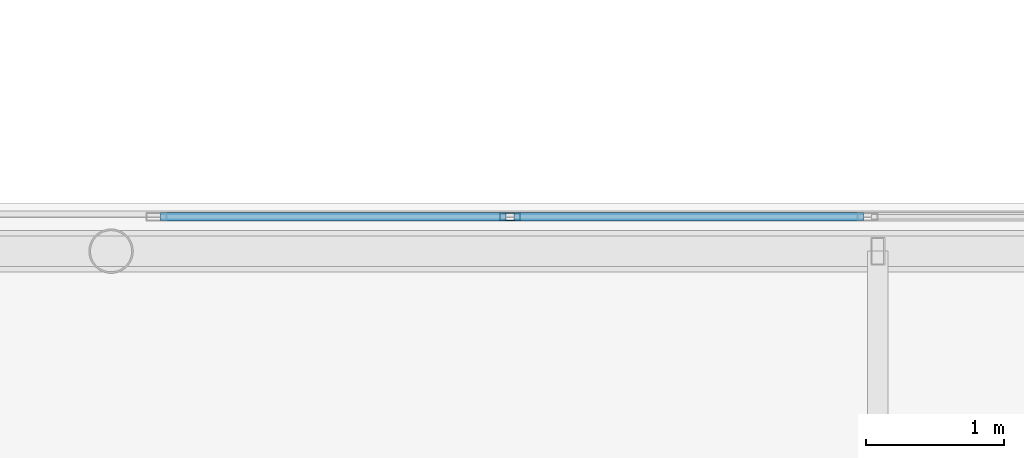
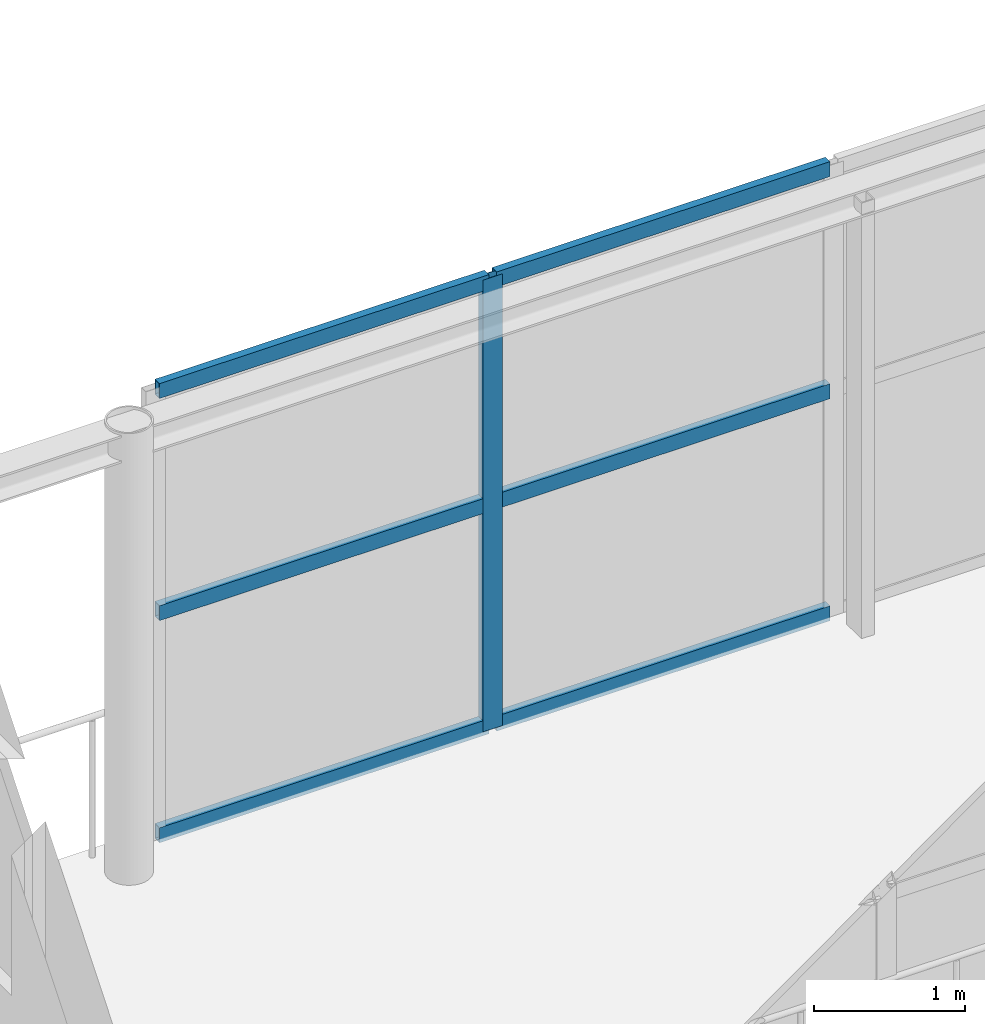
# One storey, part 62 of 167: 7 members, 1 element without a shape of its own.
"""IFC4 building model written with IfcOpenShell, lengths in metres."""

from ifc_helpers import new_model, si_unit, direction, frame, origin, origin_2d, place, context, subcontext, project, spatial, hollow_rectangle, extrude, material, layer, layer_set, material_profile, profile_set, type_object, element, aggregate, save


model = new_model("IFC4")

# Units and contexts
model_context = context("Model", 3, precision=1e-05, world=origin(), true_north=direction((0.0, 1.0)))
body_context = subcontext(model_context, "Body", "Model", "MODEL_VIEW")
ifc_project = project(units=[si_unit("LENGTHUNIT", "METRE"), si_unit("AREAUNIT", "SQUARE_METRE"), si_unit("VOLUMEUNIT", "CUBIC_METRE"), si_unit("PLANEANGLEUNIT", "RADIAN"), si_unit("MASSUNIT", "GRAM", prefix="KILO")], contexts=[model_context])

# Site, building, storey
site_placement = place(None, origin())
site = spatial("IfcSite", under=ifc_project, at=site_placement, CompositionType="ELEMENT")
building_placement = place(site_placement, origin())
building = spatial("IfcBuilding", under=site, at=building_placement, Name="Zizhar Promenade General Hospital", CompositionType="ELEMENT")
storey_placement = place(building_placement, frame((0.0, 0.0, 9.60009765625)))
storey = spatial("IfcBuildingStorey", under=building, at=storey_placement, Name="L02", CompositionType="ELEMENT", Elevation=9.60009765625)

# Curtain wall, members
ifc_material_1 = material(Name="Anodised aluminium 6063-T6 and low-E glass", Category="aluminium")
ifc_layer = layer(ifc_material_1, 0.159912109375)
ifc_layer_set = layer_set([ifc_layer], Name="Anodised aluminium 6063-T6 and low-E glass")
curtain_wall_type = type_object("IfcCurtainWallType", Name="CW-SKY-GLZ", PredefinedType="NOTDEFINED", material=ifc_layer_set)
curtain_wall_placement = place(storey_placement, origin())
curtain_wall = element("IfcCurtainWall", 1, at=curtain_wall_placement, inside=storey, type_object=curtain_wall_type, Name="Courtyard Surgical-Clinic Skybridge Level L02 North Glazing 1", PredefinedType="NOTDEFINED")
ifc_material_2 = material(Name="Anodised aluminium 6063-T6", Category="aluminium")
ifc_material_profile_1 = material_profile(ifc_material_2, hollow_rectangle(XDim=0.06005859375, YDim=0.14990234375, WallThickness=0.00390625, at=origin_2d()))
ifc_profile_set_1 = profile_set([ifc_material_profile_1], Name="Anodised aluminium 6063-T6")
member_type_1 = type_object("IfcMemberType", Name="CWM-ALU-150x60", PredefinedType="MULLION", material=ifc_profile_set_1)
member_1_placement = place(storey_placement, frame((75.0, 82.699951171875, 0.0), z_axis=(0.0, 0.0, 1.0), x_axis=(0.0, 1.0, 0.0)))
member_1 = element("IfcMember", 2, at=member_1_placement, type_object=member_type_1, Name="CW-15 mullion 2", PredefinedType="MULLION", context=body_context, shape_type="SweptSolid", body=[
    extrude(hollow_rectangle(XDim=0.06005859375, YDim=0.14990234375, WallThickness=0.00390625, at=origin_2d()), origin(), (0.0, 0.0, 1.0), 3.639892578125),
])
ifc_material_3 = material(Name="Anodised aluminium 6063-T6", Category="aluminium")
ifc_material_profile_2 = material_profile(ifc_material_3, hollow_rectangle(XDim=0.06005859375, YDim=0.1201171875, WallThickness=0.00390625, at=origin_2d()))
ifc_profile_set_2 = profile_set([ifc_material_profile_2], Name="Anodised aluminium 6063-T6")
member_type_2 = type_object("IfcMemberType", Name="CWT-ALU-120x60", PredefinedType="USERDEFINED", material=ifc_profile_set_2)
member_2_placement = place(storey_placement, frame((72.4599609375, 82.699951171875, 0.02978515625), z_axis=(1.0, 0.0, 0.0), x_axis=(0.0, 1.0, 0.0)))
member_2 = element("IfcMember", 3, at=member_2_placement, type_object=member_type_2, Name="CW-15 transom 1.1", ObjectType="TRANSOM", PredefinedType="USERDEFINED", context=body_context, shape_type="SweptSolid", body=[
    extrude(hollow_rectangle(XDim=0.06005859375, YDim=0.1201171875, WallThickness=0.00390625, at=origin_2d()), origin(), (0.0, 0.0, 1.0), 2.510009765625),
])
member_3_placement = place(storey_placement, frame((72.4599609375, 82.699951171875, 1.81982421875), z_axis=(1.0, 0.0, 0.0), x_axis=(0.0, 1.0, 0.0)))
member_3 = element("IfcMember", 4, at=member_3_placement, type_object=member_type_2, Name="CW-15 transom 1.2", ObjectType="TRANSOM", PredefinedType="USERDEFINED", context=body_context, shape_type="SweptSolid", body=[
    extrude(hollow_rectangle(XDim=0.06005859375, YDim=0.1201171875, WallThickness=0.00390625, at=origin_2d()), origin(), (0.0, 0.0, 1.0), 2.510009765625),
])
member_4_placement = place(storey_placement, frame((72.4599609375, 82.699951171875, 3.60986328125), z_axis=(1.0, 0.0, 0.0), x_axis=(0.0, 1.0, 0.0)))
member_4 = element("IfcMember", 5, at=member_4_placement, type_object=member_type_2, Name="CW-15 transom 1.3", ObjectType="TRANSOM", PredefinedType="USERDEFINED", context=body_context, shape_type="SweptSolid", body=[
    extrude(hollow_rectangle(XDim=0.06005859375, YDim=0.1201171875, WallThickness=0.00390625, at=origin_2d()), origin(), (0.0, 0.0, 1.0), 2.510009765625),
])
member_5_placement = place(storey_placement, frame((75.030029296875, 82.699951171875, 0.02978515625), z_axis=(1.0, 0.0, 0.0), x_axis=(0.0, 1.0, 0.0)))
member_5 = element("IfcMember", 6, at=member_5_placement, type_object=member_type_2, Name="CW-15 transom 2.1", ObjectType="TRANSOM", PredefinedType="USERDEFINED", context=body_context, shape_type="SweptSolid", body=[
    extrude(hollow_rectangle(XDim=0.06005859375, YDim=0.1201171875, WallThickness=0.00390625, at=origin_2d()), origin(), (0.0, 0.0, 1.0), 2.5400390625),
])
member_6_placement = place(storey_placement, frame((75.030029296875, 82.699951171875, 1.81982421875), z_axis=(1.0, 0.0, 0.0), x_axis=(0.0, 1.0, 0.0)))
member_6 = element("IfcMember", 7, at=member_6_placement, type_object=member_type_2, Name="CW-15 transom 2.2", ObjectType="TRANSOM", PredefinedType="USERDEFINED", context=body_context, shape_type="SweptSolid", body=[
    extrude(hollow_rectangle(XDim=0.06005859375, YDim=0.1201171875, WallThickness=0.00390625, at=origin_2d()), origin(), (0.0, 0.0, 1.0), 2.5400390625),
])
member_7_placement = place(storey_placement, frame((75.030029296875, 82.699951171875, 3.60986328125), z_axis=(1.0, 0.0, 0.0), x_axis=(0.0, 1.0, 0.0)))
member_7 = element("IfcMember", 8, at=member_7_placement, type_object=member_type_2, Name="CW-15 transom 2.3", ObjectType="TRANSOM", PredefinedType="USERDEFINED", context=body_context, shape_type="SweptSolid", body=[
    extrude(hollow_rectangle(XDim=0.06005859375, YDim=0.1201171875, WallThickness=0.00390625, at=origin_2d()), origin(), (0.0, 0.0, 1.0), 2.5400390625),
])
aggregate(curtain_wall, [member_1, member_2, member_3, member_4, member_5, member_6, member_7])

save(model, "model.ifc")
